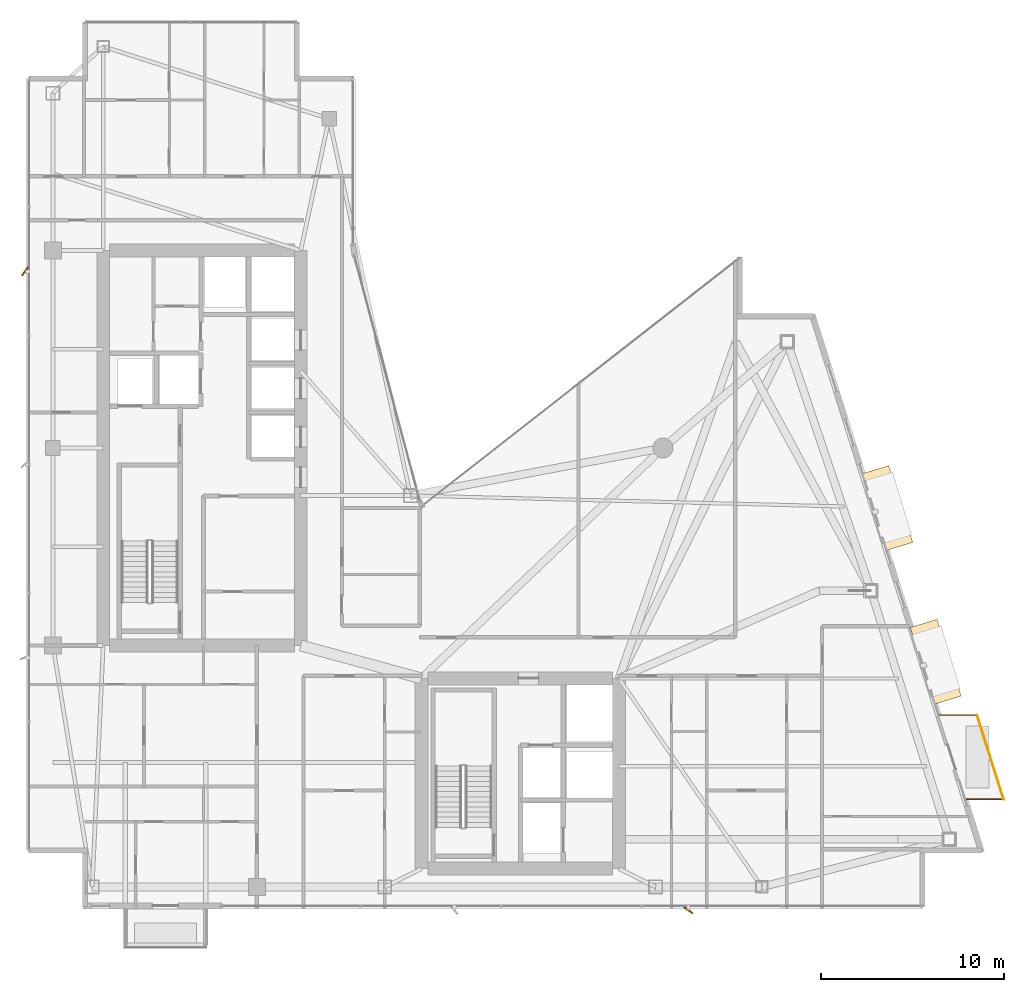
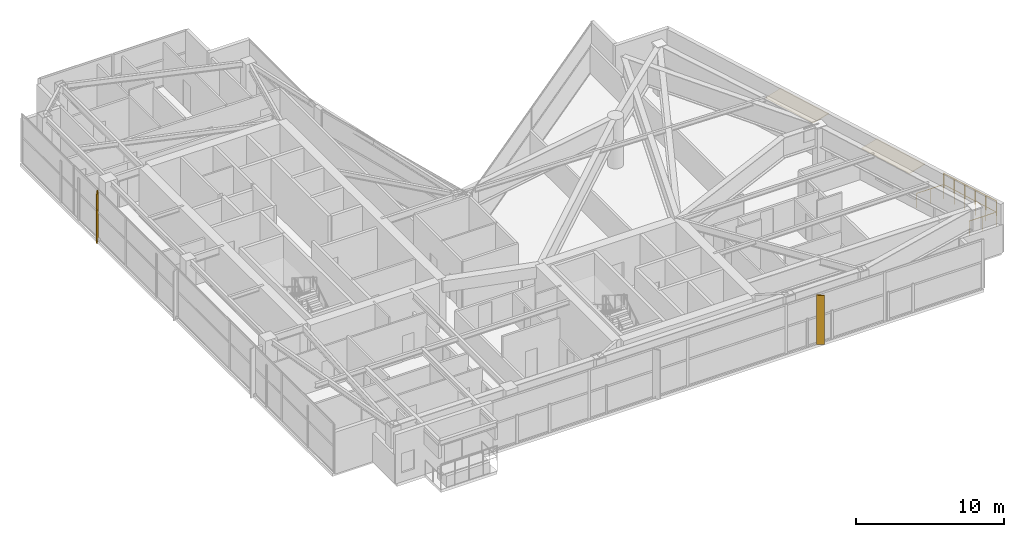
# One storey, part 29 of 29: 2 coverings, 2 railings, 2 shading devices.
"""IFC4 building model written with IfcOpenShell, lengths in metres."""

from ifc_helpers import new_model, si_unit, direction, frame, origin, origin_2d, place, context, subcontext, project, spatial, polyline, rectangle, circle, outline, extrude, material, layer, layer_set, type_object, element, save


model = new_model("IFC4")

# Units and contexts
model_context = context("Model", 3, precision=1e-05, world=origin(), true_north=direction((0.0, 1.0)))
body_context = subcontext(model_context, "Body", "Model", "MODEL_VIEW")
ifc_project = project(units=[si_unit("LENGTHUNIT", "METRE"), si_unit("AREAUNIT", "SQUARE_METRE"), si_unit("VOLUMEUNIT", "CUBIC_METRE"), si_unit("PLANEANGLEUNIT", "RADIAN"), si_unit("MASSUNIT", "GRAM", prefix="KILO")], contexts=[model_context])

# Site, building, storey
site_placement = place(None, origin())
site = spatial("IfcSite", under=ifc_project, at=site_placement, CompositionType="ELEMENT")
building_placement = place(site_placement, origin())
building = spatial("IfcBuilding", under=site, at=building_placement, Name="Calvorn Quay Hotel", CompositionType="ELEMENT")
storey_placement = place(building_placement, frame((0.0, 0.0, 214.800048828125)))
storey = spatial("IfcBuildingStorey", under=building, at=storey_placement, Name="L53", CompositionType="ELEMENT", Elevation=214.800048828125)

# Coverings
ifc_material_1 = material(Name="Pale Anodised Aluminium Rainscreen Cladding", Category="aluminium")
ifc_layer = layer(ifc_material_1, 0.044921875)
ifc_layer_set = layer_set([ifc_layer], Name="COV-CROWN-CLAD")
covering_type = type_object("IfcCoveringType", Name="COV-CROWN-CLAD", PredefinedType="CLADDING", material=ifc_layer_set)
covering_1_placement = place(storey_placement, frame((0.0, 0.0, 2.5048828125)))
element("IfcCovering", 1, at=covering_1_placement, inside=storey, type_object=covering_type, Name="Angled Bay Hood Canopy L53-HOOD-2", PredefinedType="CLADDING", context=body_context, shape_type="SweptSolid", body=[
    extrude(outline(polyline([(48.318115234375, 17.7880859375), (49.791015625, 18.235107421875), (51.114013671875, 14.034912109375), (49.64111328125, 13.587890625), (48.318115234375, 17.7880859375)])), origin(), (0.0, 0.0, 1.0), 0.045166015625),
])
covering_2_placement = place(storey_placement, frame((0.0, 0.0, 2.5048828125)))
element("IfcCovering", 2, at=covering_2_placement, inside=storey, type_object=covering_type, Name="Angled Bay Hood Canopy L53-HOOD-3", PredefinedType="CLADDING", context=body_context, shape_type="SweptSolid", body=[
    extrude(outline(polyline([(45.672119140625, 26.18798828125), (47.14501953125, 26.635009765625), (48.468017578125, 22.43505859375), (46.9951171875, 21.988037109375), (45.672119140625, 26.18798828125)])), origin(), (0.0, 0.0, 1.0), 0.045166015625),
])

# Railings
ifc_material_2 = material(Name="Pale Anodised Aluminium and Laminated Glass", Category="aluminium")
railing_type = type_object("IfcRailingType", Name="RLG-BALUSTRADE-1200", PredefinedType="BALUSTRADE", material=ifc_material_2)
railing_1_placement = place(storey_placement, frame((51.327880859375, 8.39990234375, 0.0)))
element("IfcRailing", 3, at=railing_1_placement, inside=storey, type_object=railing_type, Name="Tree Balcony Perimeter Balustrade L53-BALC-E", PredefinedType="BALUSTRADE", context=body_context, shape_type="SweptSolid", body=[
    extrude(circle(Radius=0.02392578125, at=origin_2d()), frame((0.0, 0.0, 1.17578125), z_axis=(1.0, 0.0, 0.0), x_axis=(0.0, 1.0, 0.0)), (0.0, 0.0, 1.0), 2.10009765625),
    extrude(circle(Radius=0.02392578125, at=origin_2d()), frame((2.10009765625, 0.0, 1.17578125), z_axis=(-0.300620172346, 0.953743944662, 0.0), x_axis=(-0.953743944662, -0.300620172346, 0.0)), (0.0, 0.0, 1.0), 4.8232421875),
    extrude(circle(Radius=0.02392578125, at=origin_2d()), frame((0.650146484375, 4.60009765625, 1.17578125), z_axis=(-1.0, 0.0, 0.0), x_axis=(0.0, -1.0, 0.0)), (0.0, 0.0, 1.0), 2.10009765625),
    extrude(circle(Radius=0.02099609375, at=origin_2d()), origin(), (0.0, 0.0, 1.0), 1.15185546875),
    extrude(circle(Radius=0.02099609375, at=origin_2d()), frame((1.050048828125, 0.0, 0.0)), (0.0, 0.0, 1.0), 1.15185546875),
    extrude(circle(Radius=0.02099609375, at=origin_2d()), frame((2.10009765625, 0.0, 0.0)), (0.0, 0.0, 1.0), 1.15185546875),
    extrude(circle(Radius=0.02099609375, at=origin_2d()), frame((1.81005859375, 0.919921875, 0.0)), (0.0, 0.0, 1.0), 1.15185546875),
    extrude(circle(Radius=0.02099609375, at=origin_2d()), frame((1.52001953125, 1.840087890625, 0.0)), (0.0, 0.0, 1.0), 1.15185546875),
    extrude(circle(Radius=0.02099609375, at=origin_2d()), frame((1.230224609375, 2.760009765625, 0.0)), (0.0, 0.0, 1.0), 1.15185546875),
    extrude(circle(Radius=0.02099609375, at=origin_2d()), frame((0.940185546875, 3.68017578125, 0.0)), (0.0, 0.0, 1.0), 1.15185546875),
    extrude(circle(Radius=0.02099609375, at=origin_2d()), frame((0.650146484375, 4.60009765625, 0.0)), (0.0, 0.0, 1.0), 1.15185546875),
    extrude(circle(Radius=0.02099609375, at=origin_2d()), frame((-0.39990234375, 4.60009765625, 0.0)), (0.0, 0.0, 1.0), 1.15185546875),
    extrude(circle(Radius=0.02099609375, at=origin_2d()), frame((-1.449951171875, 4.60009765625, 0.0)), (0.0, 0.0, 1.0), 1.15185546875),
])
railing_2_placement = place(storey_placement, frame((53.427978515625, 8.39990234375, 0.89990234375)))
element("IfcRailing", 4, at=railing_2_placement, inside=storey, type_object=railing_type, Name="Planter Kerb High Safety Screen L53-BALC-E", PredefinedType="BALUSTRADE", context=body_context, shape_type="SweptSolid", body=[
    extrude(circle(Radius=0.02392578125, at=origin_2d()), frame((0.0, 0.0, 1.19580078125), z_axis=(-0.300620172346, 0.953743944662, 0.0), x_axis=(-0.953743944662, -0.300620172346, 0.0)), (0.0, 0.0, 1.0), 4.8232421875),
    extrude(circle(Radius=0.02099609375, at=origin_2d()), origin(), (0.0, 0.0, 1.0), 1.171875),
    extrude(circle(Radius=0.02099609375, at=origin_2d()), frame((-0.2900390625, 0.919921875, 0.0)), (0.0, 0.0, 1.0), 1.171875),
    extrude(circle(Radius=0.02099609375, at=origin_2d()), frame((-0.580078125, 1.840087890625, 0.0)), (0.0, 0.0, 1.0), 1.171875),
    extrude(circle(Radius=0.02099609375, at=origin_2d()), frame((-0.869873046875, 2.760009765625, 0.0)), (0.0, 0.0, 1.0), 1.171875),
    extrude(circle(Radius=0.02099609375, at=origin_2d()), frame((-1.159912109375, 3.68017578125, 0.0)), (0.0, 0.0, 1.0), 1.171875),
    extrude(circle(Radius=0.02099609375, at=origin_2d()), frame((-1.449951171875, 4.60009765625, 0.0)), (0.0, 0.0, 1.0), 1.171875),
])

# Shading devices
ifc_material_3 = material(Name="Champagne Bronze Anodised Aluminium 6063-T6", Category="aluminium")
shading_device_type = type_object("IfcShadingDeviceType", Name="SHD-FIN-A3", PredefinedType="USERDEFINED", material=ifc_material_3)
for number, where, z_axis, x_axis, name in (
    (5, (-0.080078125, 37.25, 0.0), (0.0, 0.0, 1.0), (0.587785252292, 0.809016994375, 0.0), "Diagonal Sun-Shading Fin L53-W03"),
    (6, (36.199951171875, 2.320068359375, 0.0), (0.0, 0.0, 1.0), (-0.809016994375, 0.587785252292, 0.0), "Diagonal Sun-Shading Fin L53-S02"),
):
    element("IfcShadingDevice", number, at=place(storey_placement, frame(where, z_axis=z_axis, x_axis=x_axis)), inside=storey, type_object=shading_device_type, Name=name, ObjectType="FIN", PredefinedType="USERDEFINED", context=body_context, shape_type="SweptSolid", body=[
        extrude(rectangle(XDim=0.550048828125, YDim=0.080078125, at=origin_2d()), origin(), (0.0, 0.0, 1.0), 4.050048828125),
    ])

save(model, "model.ifc")
